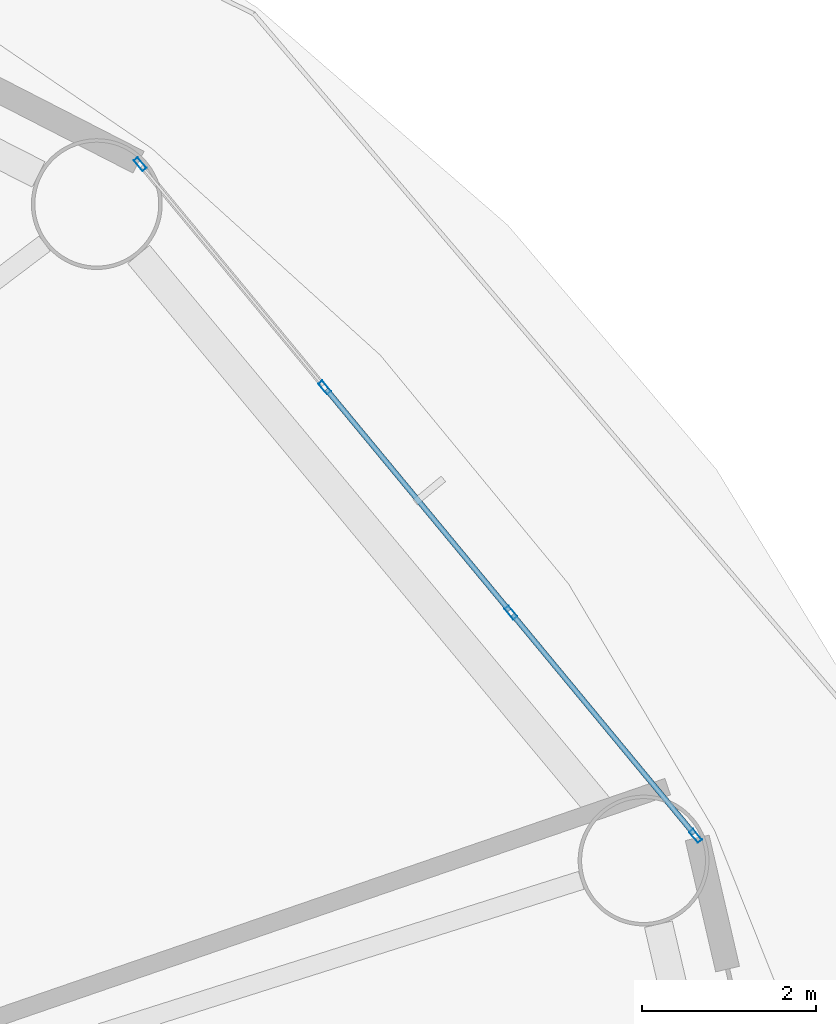
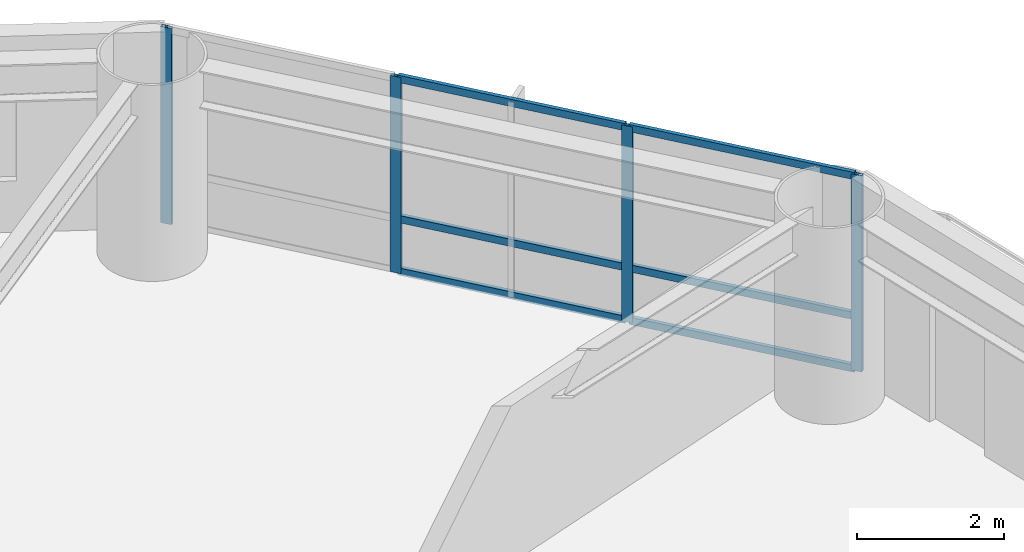
# One storey, part 13 of 27: 10 members, 1 element without a shape of its own.
"""IFC4 building model written with IfcOpenShell, lengths in metres."""

from ifc_helpers import new_model, si_unit, direction, frame, origin, origin_2d, place, context, subcontext, project, spatial, hollow_rectangle, extrude, material, layer, layer_set, material_profile, profile_set, type_object, element, aggregate, save


model = new_model("IFC4")

# Units and contexts
model_context = context("Model", 3, precision=1e-05, world=origin(), true_north=direction((0.0, 1.0)))
body_context = subcontext(model_context, "Body", "Model", "MODEL_VIEW")
ifc_project = project(units=[si_unit("LENGTHUNIT", "METRE"), si_unit("AREAUNIT", "SQUARE_METRE"), si_unit("VOLUMEUNIT", "CUBIC_METRE"), si_unit("PLANEANGLEUNIT", "RADIAN"), si_unit("MASSUNIT", "GRAM", prefix="KILO")], contexts=[model_context])

# Site, building, storey
site_placement = place(None, origin())
site = spatial("IfcSite", under=ifc_project, at=site_placement, CompositionType="ELEMENT")
building_placement = place(site_placement, origin())
building = spatial("IfcBuilding", under=site, at=building_placement, Name="Sarneth Arch Tower", CompositionType="ELEMENT")
storey_placement = place(building_placement, frame((0.0, 0.0, 75.0)))
storey = spatial("IfcBuildingStorey", under=building, at=storey_placement, Name="L18", CompositionType="ELEMENT", Elevation=75.0)

# Curtain wall, members
ifc_material_1 = material(Name="Anodised aluminium Type AA25 and solar-control low-e laminated IGU", Category="aluminium")
ifc_layer = layer(ifc_material_1, 0.159912109375)
ifc_layer_set = layer_set([ifc_layer], Name="Anodised aluminium Type AA25 and solar-control low-e laminated IGU")
curtain_wall_type = type_object("IfcCurtainWallType", Name="CW-HOTEL-LOW", PredefinedType="NOTDEFINED", material=ifc_layer_set)
curtain_wall_placement = place(storey_placement, origin())
curtain_wall = element("IfcCurtainWall", 1, at=curtain_wall_placement, inside=storey, type_object=curtain_wall_type, Name="L18 Unitised curtain wall facet 02", PredefinedType="NOTDEFINED")
ifc_material_2 = material(Name="Anodised Aluminium 6063-T6", Category="aluminium")
ifc_material_profile_1 = material_profile(ifc_material_2, hollow_rectangle(XDim=0.06005859375, YDim=0.159912109375, WallThickness=0.00390625, at=origin_2d()), Name="AL-MULL-160x60x4")
ifc_profile_set_1 = profile_set([ifc_material_profile_1], Name="Anodised Aluminium 6063-T6")
member_type_1 = type_object("IfcMemberType", Name="CW-MULLION", PredefinedType="MULLION", material=ifc_profile_set_1)
member_1_placement = place(storey_placement, frame((76.561767578125, 51.16162109375, 0.0), z_axis=(0.0, 0.0, 1.0), x_axis=(-0.770622960278, -0.637291340827, 0.0)))
member_1 = element("IfcMember", 2, at=member_1_placement, type_object=member_type_1, Name="CW-SYS-3 mullion 1", PredefinedType="MULLION", context=body_context, shape_type="SweptSolid", body=[
    extrude(hollow_rectangle(XDim=0.06005859375, YDim=0.159912109375, WallThickness=0.00390625, at=origin_2d()), origin(), (0.0, 0.0, 1.0), 3.25),
])
member_2_placement = place(storey_placement, frame((74.4453125, 53.720947265625, 0.0), z_axis=(0.0, 0.0, 1.0), x_axis=(-0.770622960278, -0.637291340827, 0.0)))
member_2 = element("IfcMember", 3, at=member_2_placement, type_object=member_type_1, Name="CW-SYS-3 mullion 2", PredefinedType="MULLION", context=body_context, shape_type="SweptSolid", body=[
    extrude(hollow_rectangle(XDim=0.06005859375, YDim=0.159912109375, WallThickness=0.00390625, at=origin_2d()), origin(), (0.0, 0.0, 1.0), 3.25),
])
member_3_placement = place(storey_placement, frame((72.309814453125, 56.30322265625, 0.0), z_axis=(0.0, 0.0, 1.0), x_axis=(-0.770622960278, -0.637291340827, 0.0)))
member_3 = element("IfcMember", 4, at=member_3_placement, type_object=member_type_1, Name="CW-SYS-3 mullion 3", PredefinedType="MULLION", context=body_context, shape_type="SweptSolid", body=[
    extrude(hollow_rectangle(XDim=0.06005859375, YDim=0.159912109375, WallThickness=0.00390625, at=origin_2d()), origin(), (0.0, 0.0, 1.0), 3.25),
])
member_4_placement = place(storey_placement, frame((70.193359375, 58.862548828125, 0.0), z_axis=(0.0, 0.0, 1.0), x_axis=(-0.770622960278, -0.637291340827, 0.0)))
member_4 = element("IfcMember", 5, at=member_4_placement, type_object=member_type_1, Name="CW-SYS-3 mullion 4", PredefinedType="MULLION", context=body_context, shape_type="SweptSolid", body=[
    extrude(hollow_rectangle(XDim=0.06005859375, YDim=0.159912109375, WallThickness=0.00390625, at=origin_2d()), origin(), (0.0, 0.0, 1.0), 3.25),
])
ifc_material_3 = material(Name="Anodised Aluminium 6063-T6", Category="aluminium")
ifc_material_profile_2 = material_profile(ifc_material_3, hollow_rectangle(XDim=0.06005859375, YDim=0.1201171875, WallThickness=0.00390625, at=origin_2d()), Name="AL-TRAN-120x60x4")
ifc_profile_set_2 = profile_set([ifc_material_profile_2], Name="Anodised Aluminium 6063-T6")
member_type_2 = type_object("IfcMemberType", Name="CW-TRANSOM", PredefinedType="USERDEFINED", material=ifc_profile_set_2)
member_5_placement = place(storey_placement, frame((76.542724609375, 51.184814453125, 0.030029296875), z_axis=(-0.63733019572, 0.77059082633, 0.0), x_axis=(-0.77059082633, -0.63733019572, 0.0)))
member_5 = element("IfcMember", 6, at=member_5_placement, type_object=member_type_2, Name="CW-SYS-3 transom 1.1", ObjectType="TRANSOM", PredefinedType="USERDEFINED", context=body_context, shape_type="SweptSolid", body=[
    extrude(hollow_rectangle(XDim=0.06005859375, YDim=0.1201171875, WallThickness=0.00390625, at=origin_2d()), origin(), (0.0, 0.0, 1.0), 3.260986328125),
])
member_6_placement = place(storey_placement, frame((76.542724609375, 51.184814453125, 0.89990234375), z_axis=(-0.63733019572, 0.77059082633, 0.0), x_axis=(-0.77059082633, -0.63733019572, 0.0)))
member_6 = element("IfcMember", 7, at=member_6_placement, type_object=member_type_2, Name="CW-SYS-3 transom 1.2", ObjectType="TRANSOM", PredefinedType="USERDEFINED", context=body_context, shape_type="SweptSolid", body=[
    extrude(hollow_rectangle(XDim=0.06005859375, YDim=0.1201171875, WallThickness=0.00390625, at=origin_2d()), origin(), (0.0, 0.0, 1.0), 3.260986328125),
])
member_7_placement = place(storey_placement, frame((76.542724609375, 51.184814453125, 3.219970703125), z_axis=(-0.63733019572, 0.77059082633, 0.0), x_axis=(-0.77059082633, -0.63733019572, 0.0)))
member_7 = element("IfcMember", 8, at=member_7_placement, type_object=member_type_2, Name="CW-SYS-3 transom 1.3", ObjectType="TRANSOM", PredefinedType="USERDEFINED", context=body_context, shape_type="SweptSolid", body=[
    extrude(hollow_rectangle(XDim=0.06005859375, YDim=0.1201171875, WallThickness=0.00390625, at=origin_2d()), origin(), (0.0, 0.0, 1.0), 3.260986328125),
])
member_8_placement = place(storey_placement, frame((74.42626953125, 53.743896484375, 0.030029296875), z_axis=(-0.637268595771, 0.770641769465, 0.0), x_axis=(-0.770641769465, -0.637268595771, 0.0)))
member_8 = element("IfcMember", 9, at=member_8_placement, type_object=member_type_2, Name="CW-SYS-3 transom 2.1", ObjectType="TRANSOM", PredefinedType="USERDEFINED", context=body_context, shape_type="SweptSolid", body=[
    extrude(hollow_rectangle(XDim=0.06005859375, YDim=0.1201171875, WallThickness=0.00390625, at=origin_2d()), origin(), (0.0, 0.0, 1.0), 3.291259765625),
])
member_9_placement = place(storey_placement, frame((74.42626953125, 53.743896484375, 0.89990234375), z_axis=(-0.637268595771, 0.770641769465, 0.0), x_axis=(-0.770641769465, -0.637268595771, 0.0)))
member_9 = element("IfcMember", 10, at=member_9_placement, type_object=member_type_2, Name="CW-SYS-3 transom 2.2", ObjectType="TRANSOM", PredefinedType="USERDEFINED", context=body_context, shape_type="SweptSolid", body=[
    extrude(hollow_rectangle(XDim=0.06005859375, YDim=0.1201171875, WallThickness=0.00390625, at=origin_2d()), origin(), (0.0, 0.0, 1.0), 3.291259765625),
])
member_10_placement = place(storey_placement, frame((74.42626953125, 53.743896484375, 3.219970703125), z_axis=(-0.637268595771, 0.770641769465, 0.0), x_axis=(-0.770641769465, -0.637268595771, 0.0)))
member_10 = element("IfcMember", 11, at=member_10_placement, type_object=member_type_2, Name="CW-SYS-3 transom 2.3", ObjectType="TRANSOM", PredefinedType="USERDEFINED", context=body_context, shape_type="SweptSolid", body=[
    extrude(hollow_rectangle(XDim=0.06005859375, YDim=0.1201171875, WallThickness=0.00390625, at=origin_2d()), origin(), (0.0, 0.0, 1.0), 3.291259765625),
])
aggregate(curtain_wall, [member_1, member_2, member_3, member_4, member_5, member_6, member_7, member_8, member_9, member_10])

save(model, "model.ifc")
